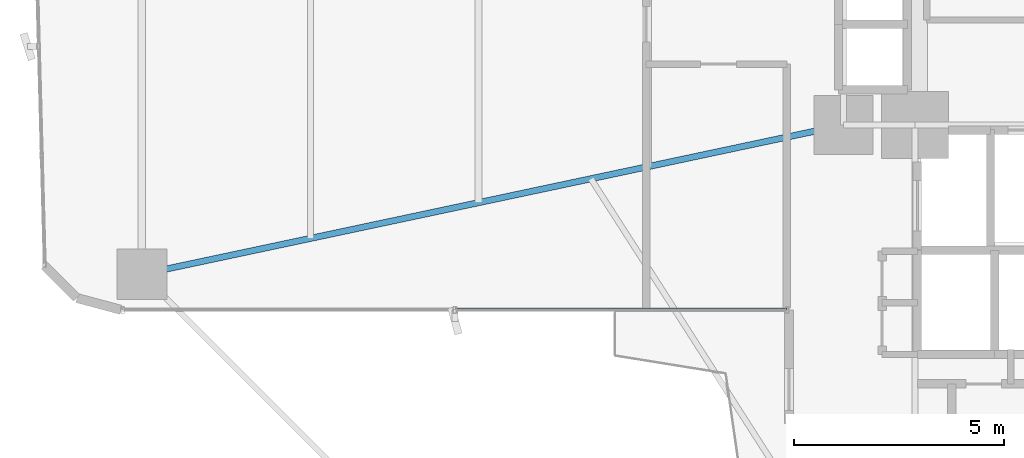
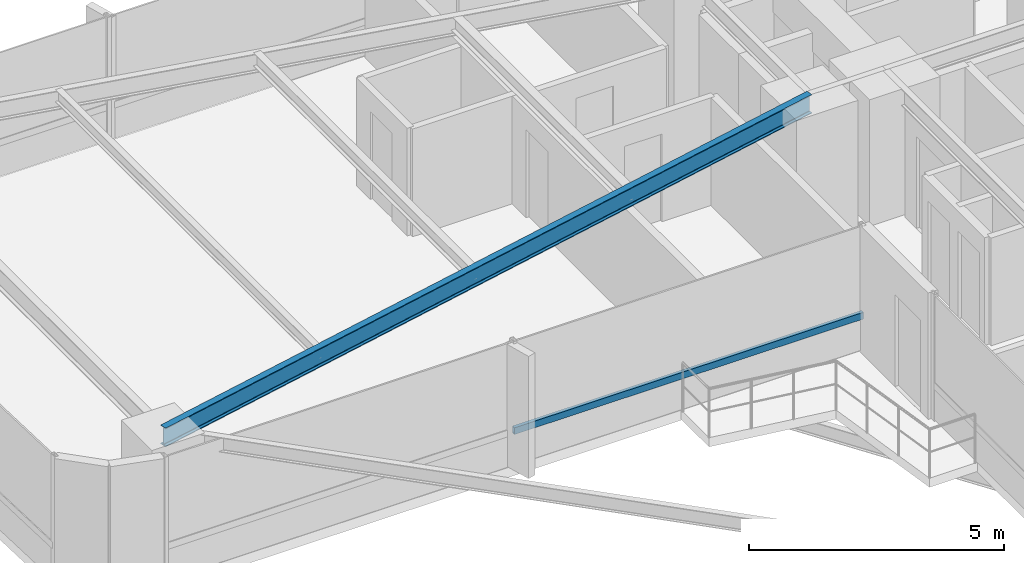
# One storey, part 7 of 25: 1 beam, 1 member, 1 element without a shape of its own.
"""IFC4 building model written with IfcOpenShell, lengths in metres."""

from ifc_helpers import new_model, si_unit, direction, frame, origin, origin_2d, place, context, subcontext, project, spatial, hollow_rectangle, i_section, extrude, source, transform, mapped, material, material_profile, profile_set, type_object, element, aggregate, save


model = new_model("IFC4")

# Units and contexts
model_context = context("Model", 3, precision=1e-05, world=origin(), true_north=direction((0.0, 1.0)))
body_context = subcontext(model_context, "Body", "Model", "MODEL_VIEW")
ifc_project = project(units=[si_unit("LENGTHUNIT", "METRE"), si_unit("AREAUNIT", "SQUARE_METRE"), si_unit("VOLUMEUNIT", "CUBIC_METRE"), si_unit("PLANEANGLEUNIT", "RADIAN"), si_unit("MASSUNIT", "GRAM", prefix="KILO")], contexts=[model_context])

# Site, building, storey
site_placement = place(None, origin())
site = spatial("IfcSite", under=ifc_project, at=site_placement, CompositionType="ELEMENT")
building_placement = place(site_placement, origin())
building = spatial("IfcBuilding", under=site, at=building_placement, Name="Sahyath Konkavel Grand Hotel", CompositionType="ELEMENT")
storey_placement = place(building_placement, frame((0.0, 0.0, 71.14990234375)))
storey = spatial("IfcBuildingStorey", under=building, at=storey_placement, Name="L19", CompositionType="ELEMENT", Elevation=71.14990234375)

# Beam
ifc_material_1 = material(Name="Steel E350", Category="steel")
ifc_material_profile_1 = material_profile(ifc_material_1, i_section(OverallWidth=0.14990234375, OverallDepth=0.449951171875, WebThickness=0.009521484375, FlangeThickness=0.017333984375, FilletRadius=0.014892578125, at=origin_2d()), Name="ISMB 450")
ifc_profile_set_1 = profile_set([ifc_material_profile_1], Name="Steel E350")
beam_type = type_object("IfcBeamType", Name="BM-ISMB450", PredefinedType="BEAM", material=ifc_profile_set_1)
shared_shape_1 = source(origin(), body_context, "Body", "SweptSolid", [
    extrude(i_section(OverallWidth=0.14990234375, OverallDepth=0.449951171875, WebThickness=0.009521484375, FlangeThickness=0.017333984375, FilletRadius=0.014892578125, at=origin_2d()), origin(), (0.0, 0.0, 1.0), 17.072998046875),
])
beam_placement = place(storey_placement, frame((-5.5, -2.39990234375, 2.80517578125), z_axis=(-0.978143257225, -0.20793212437, 0.0), x_axis=(0.20793212437, -0.978143257225, 0.0)))
element("IfcBeam", 1, at=beam_placement, inside=storey, type_object=beam_type, Name="L19 Cruciform Radial Girder WB", PredefinedType="BEAM", context=body_context, shape_type="MappedRepresentation", body=[
    mapped(shared_shape_1, transform((0.0, 0.0, 0.0), scale=1.0)),
])

# Curtain wall, member
ifc_material_2 = material(Name="Anodised Bronze Aluminium & Low-E Glazing", Category="aluminium")
curtain_wall_type = type_object("IfcCurtainWallType", Name="CW-ZONE1", PredefinedType="NOTDEFINED", material=ifc_material_2)
curtain_wall_placement = place(storey_placement, origin())
curtain_wall = element("IfcCurtainWall", 2, at=curtain_wall_placement, inside=storey, type_object=curtain_wall_type, Name="L19 Unitised Curtain Wall F23", PredefinedType="NOTDEFINED")
ifc_material_3 = material(Name="Anodised Bronze Aluminium", Category="aluminium")
ifc_material_profile_2 = material_profile(ifc_material_3, hollow_rectangle(XDim=0.080078125, YDim=0.159912109375, WallThickness=0.006103515625, at=origin_2d()), Name="RHS 160x80x6")
ifc_profile_set_2 = profile_set([ifc_material_profile_2], Name="Anodised Bronze Aluminium")
member_type = type_object("IfcMemberType", Name="CW-TRN-160", PredefinedType="USERDEFINED", material=ifc_profile_set_2)
shared_shape_2 = source(origin(), body_context, "Body", "SweptSolid", [
    extrude(hollow_rectangle(XDim=0.080078125, YDim=0.159912109375, WallThickness=0.006103515625, at=origin_2d()), origin(), (0.0, 0.0, 1.0), 7.909912109375),
])
member_placement = place(storey_placement, frame((-14.75, -6.800048828125, 0.85009765625), z_axis=(1.0, 0.0, 0.0), x_axis=(0.0, 1.0, 0.0)))
member = element("IfcMember", 3, at=member_placement, type_object=member_type, Name="L19 Curtain Wall Transom F23-1-spandrel", ObjectType="TRANSOM", PredefinedType="USERDEFINED", context=body_context, shape_type="MappedRepresentation", body=[
    mapped(shared_shape_2, transform((0.0, 0.0, 0.0), scale=1.0)),
])
aggregate(curtain_wall, [member])

save(model, "model.ifc")
